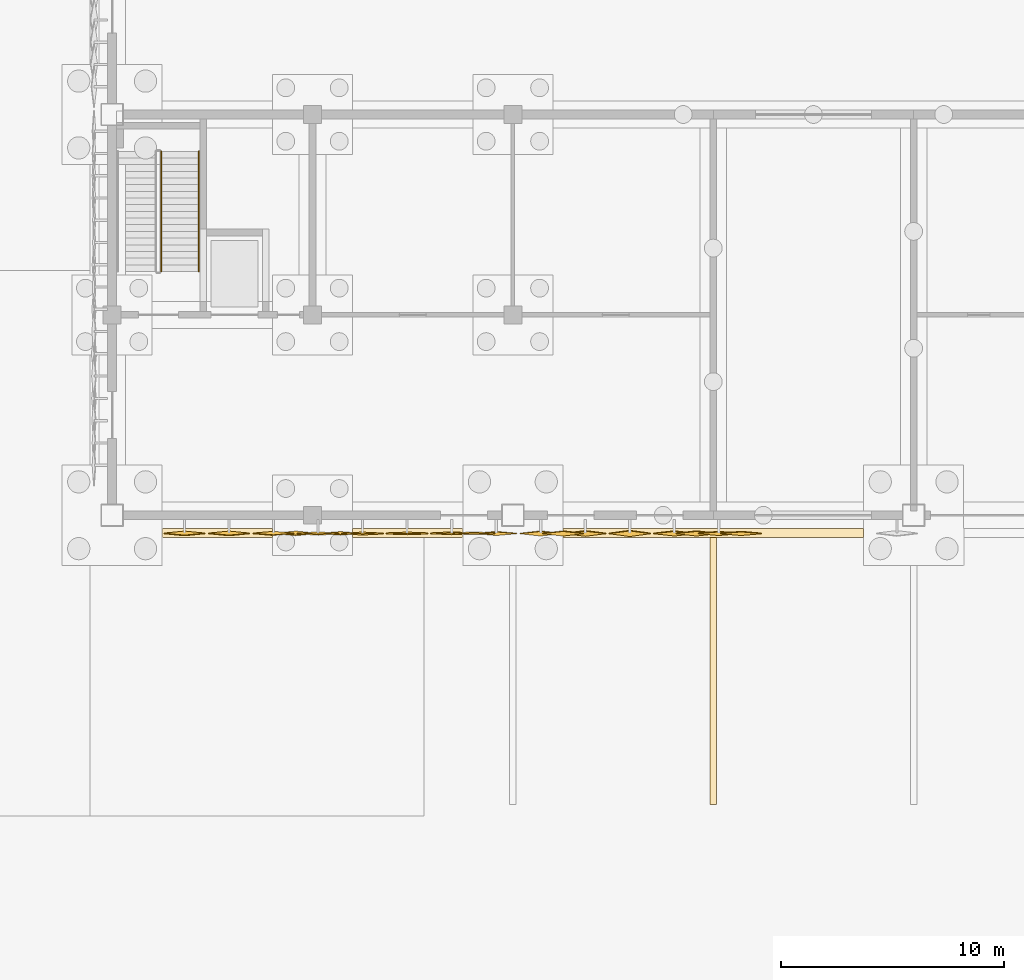
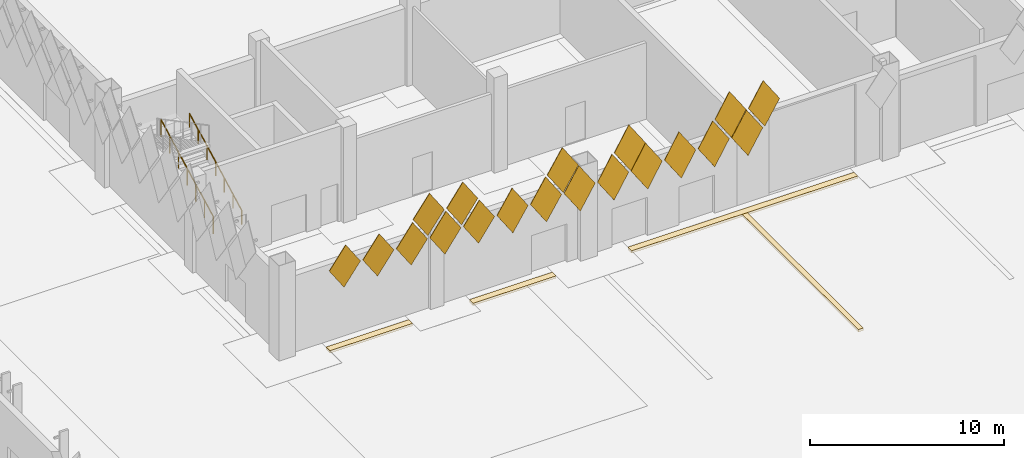
# One storey, part 142 of 198: 23 coverings, 2 railings.
"""IFC4 building model written with IfcOpenShell, lengths in metres."""

from ifc_helpers import new_model, si_unit, direction, frame, origin, origin_2d, place, context, subcontext, project, spatial, polyline, circle, outline, extrude, material, layer, layer_set, constituent, constituent_set, material_profile, profile_set, type_object, element, save


model = new_model("IFC4")

# Units and contexts
model_context = context("Model", 3, precision=1e-05, world=origin(), true_north=direction((0.0, 1.0)))
body_context = subcontext(model_context, "Body", "Model", "MODEL_VIEW")
ifc_project = project(units=[si_unit("LENGTHUNIT", "METRE"), si_unit("AREAUNIT", "SQUARE_METRE"), si_unit("VOLUMEUNIT", "CUBIC_METRE"), si_unit("PLANEANGLEUNIT", "RADIAN"), si_unit("MASSUNIT", "GRAM", prefix="KILO")], contexts=[model_context])

# Site, building, storey
site_placement = place(None, origin())
site = spatial("IfcSite", under=ifc_project, at=site_placement, CompositionType="ELEMENT")
building_placement = place(site_placement, origin())
building = spatial("IfcBuilding", under=site, at=building_placement, Name="Opaline Strait Convention Centre", CompositionType="ELEMENT")
storey_placement = place(building_placement, origin())
storey = spatial("IfcBuildingStorey", under=building, at=storey_placement, Name="L00", CompositionType="ELEMENT", Elevation=0.0)

# Coverings
ifc_material_1 = material(Name="White ceramic-faced aluminium tile", Category="aluminium")
ifc_material_profile_1 = material_profile(ifc_material_1, outline(polyline([(0.927978515625, 0.0), (0.0, 1.39208984375), (-0.927978515625, 0.0), (0.0, -1.39208984375), (0.927978515625, 0.0)])), Name="Diamond tile 1856x2784")
ifc_profile_set_1 = profile_set([ifc_material_profile_1], Name="White ceramic-faced aluminium tile")
covering_type_1 = type_object("IfcCoveringType", Name="Diamond wall tile 1856x2784x30 pivot 1.5 deg", PredefinedType="CLADDING", material=ifc_profile_set_1)
for number, where, z_axis, x_axis, name in (
    (1, (110.25, 53.199951171875, 4.89208984375), (0.0, -0.999471633277, -0.032503142546), (1.0, 0.0, 0.0), "Wall tile XT03 S"),
    (2, (112.25, 53.199951171875, 4.89208984375), (0.0, -0.999702690643, 0.024382992455), (1.0, 0.0, 0.0), "Wall tile XT03 S"),
):
    element("IfcCovering", number, at=place(storey_placement, frame(where, z_axis=z_axis, x_axis=x_axis)), inside=storey, type_object=covering_type_1, Name=name, PredefinedType="CLADDING", context=body_context, shape_type="SweptSolid", body=[
        extrude(outline(polyline([(0.927978515625, 0.0), (0.0, 1.39208984375), (-0.927978515625, 0.0), (0.0, -1.39208984375), (0.927978515625, 0.0)])), origin(), (0.0, 0.0, 1.0), 0.030029296875),
    ])
ifc_material_profile_2 = material_profile(ifc_material_1, outline(polyline([(0.927978515625, 0.0), (0.0, 1.39208984375), (-0.927978515625, 0.0), (0.0, -1.39208984375), (0.927978515625, 0.0)])), Name="Diamond tile 1856x2784")
ifc_profile_set_2 = profile_set([ifc_material_profile_2], Name="White ceramic-faced aluminium tile")
covering_type_2 = type_object("IfcCoveringType", Name="Diamond wall tile 1856x2784x30 pivot 2 deg", PredefinedType="CLADDING", material=ifc_profile_set_2)
for number, where, z_axis, x_axis, name in (
    (3, (108.25, 53.199951171875, 4.89208984375), (0.0, -0.999174794796, -0.040616861577), (1.0, 0.0, 0.0), "Wall tile XT04 S"),
    (4, (114.25, 53.199951171875, 4.89208984375), (0.0, -0.999471633277, 0.032503142546), (1.0, 0.0, 0.0), "Wall tile XT04 S"),
    (5, (115.25, 53.199951171875, 6.39208984375), (0.0, -0.999471633277, 0.032503142546), (1.0, 0.0, 0.0), "Wall tile XT04 S"),
):
    element("IfcCovering", number, at=place(storey_placement, frame(where, z_axis=z_axis, x_axis=x_axis)), inside=storey, type_object=covering_type_2, Name=name, PredefinedType="CLADDING", context=body_context, shape_type="SweptSolid", body=[
        extrude(outline(polyline([(0.927978515625, 0.0), (0.0, 1.39208984375), (-0.927978515625, 0.0), (0.0, -1.39208984375), (0.927978515625, 0.0)])), origin(), (0.0, 0.0, 1.0), 0.030029296875),
    ])
ifc_material_profile_3 = material_profile(ifc_material_1, outline(polyline([(0.927978515625, 0.0), (0.0, 1.39208984375), (-0.927978515625, 0.0), (0.0, -1.39208984375), (0.927978515625, 0.0)])), Name="Diamond tile 1856x2784")
ifc_profile_set_3 = profile_set([ifc_material_profile_3], Name="White ceramic-faced aluminium tile")
covering_type_3 = type_object("IfcCoveringType", Name="Diamond wall tile 1856x2784x30 pivot 2.5 deg", PredefinedType="CLADDING", material=ifc_profile_set_3)
covering_1_placement = place(storey_placement, frame((109.25, 53.199951171875, 6.39208984375), z_axis=(0.0, -0.998812351125, -0.048722553713), x_axis=(1.0, 0.0, 0.0)))
element("IfcCovering", 6, at=covering_1_placement, inside=storey, type_object=covering_type_3, Name="Wall tile XT05 S", PredefinedType="CLADDING", context=body_context, shape_type="SweptSolid", body=[
    extrude(outline(polyline([(0.927978515625, 0.0), (0.0, 1.39208984375), (-0.927978515625, 0.0), (0.0, -1.39208984375), (0.927978515625, 0.0)])), origin(), (0.0, 0.0, 1.0), 0.030029296875),
])
ifc_material_profile_4 = material_profile(ifc_material_1, outline(polyline([(0.927978515625, 0.0), (0.0, 1.39208984375), (-0.927978515625, 0.0), (0.0, -1.39208984375), (0.927978515625, 0.0)])), Name="Diamond tile 1856x2784")
ifc_profile_set_4 = profile_set([ifc_material_profile_4], Name="White ceramic-faced aluminium tile")
covering_type_4 = type_object("IfcCoveringType", Name="Diamond wall tile 1856x2784x30 pivot 3 deg", PredefinedType="CLADDING", material=ifc_profile_set_4)
covering_2_placement = place(storey_placement, frame((106.25, 53.199951171875, 4.89208984375), z_axis=(0.0, -0.998384516691, -0.056818631031), x_axis=(1.0, 0.0, 0.0)))
element("IfcCovering", 7, at=covering_2_placement, inside=storey, type_object=covering_type_4, Name="Wall tile XT06 S", PredefinedType="CLADDING", context=body_context, shape_type="SweptSolid", body=[
    extrude(outline(polyline([(0.927978515625, 0.0), (0.0, 1.39208984375), (-0.927978515625, 0.0), (0.0, -1.39208984375), (0.927978515625, 0.0)])), origin(), (0.0, 0.0, 1.0), 0.030029296875),
])
ifc_material_profile_5 = material_profile(ifc_material_1, outline(polyline([(0.927978515625, 0.0), (0.0, 1.39208984375), (-0.927978515625, 0.0), (0.0, -1.39208984375), (0.927978515625, 0.0)])), Name="Diamond tile 1856x2784")
ifc_profile_set_5 = profile_set([ifc_material_profile_5], Name="White ceramic-faced aluminium tile")
covering_type_5 = type_object("IfcCoveringType", Name="Diamond wall tile 1856x2784x30 pivot 3.5 deg", PredefinedType="CLADDING", material=ifc_profile_set_5)
for number, where, z_axis, x_axis, name in (
    (8, (102.25, 53.199951171875, 4.89208984375), (0.0, -0.99785694905, -0.065433242561), (1.0, 0.0, 0.0), "Wall tile XT07 S"),
    (9, (104.25, 53.199951171875, 4.89208984375), (0.0, -0.99785694905, -0.065433242561), (1.0, 0.0, 0.0), "Wall tile XT07 S"),
    (10, (116.25, 53.199951171875, 4.89208984375), (0.0, -0.99835799028, 0.057282835508), (1.0, 0.0, 0.0), "Wall tile XT07 S"),
    (11, (126.25, 53.199951171875, 4.89208984375), (0.0, -0.99835799028, 0.057282835508), (1.0, 0.0, 0.0), "Wall tile XT07 S"),
    (12, (107.25, 53.199951171875, 6.39208984375), (0.0, -0.99785694905, -0.065433242561), (1.0, 0.0, 0.0), "Wall tile XT07 S"),
    (13, (127.25, 53.199951171875, 6.39208984375), (0.0, -0.99835799028, 0.057282835508), (1.0, 0.0, 0.0), "Wall tile XT07 S"),
):
    element("IfcCovering", number, at=place(storey_placement, frame(where, z_axis=z_axis, x_axis=x_axis)), inside=storey, type_object=covering_type_5, Name=name, PredefinedType="CLADDING", context=body_context, shape_type="SweptSolid", body=[
        extrude(outline(polyline([(0.927978515625, 0.0), (0.0, 1.39208984375), (-0.927978515625, 0.0), (0.0, -1.39208984375), (0.927978515625, 0.0)])), origin(), (0.0, 0.0, 1.0), 0.02978515625),
    ])
ifc_material_profile_6 = material_profile(ifc_material_1, outline(polyline([(0.927978515625, 0.0), (0.0, 1.39208984375), (-0.927978515625, 0.0), (0.0, -1.39208984375), (0.927978515625, 0.0)])), Name="Diamond tile 1856x2784")
ifc_profile_set_6 = profile_set([ifc_material_profile_6], Name="White ceramic-faced aluminium tile")
covering_type_6 = type_object("IfcCoveringType", Name="Diamond wall tile 1856x2784x30 pivot 4.5 deg", PredefinedType="CLADDING", material=ifc_profile_set_6)
for number, where, z_axis, x_axis, name in (
    (14, (118.25, 53.199951171875, 4.89208984375), (0.0, -0.997290013252, 0.073570574748), (1.0, 0.0, 0.0), "Wall tile XT09 S"),
    (15, (124.25, 53.199951171875, 4.89208984375), (0.0, -0.997290013252, 0.073570574748), (1.0, 0.0, 0.0), "Wall tile XT09 S"),
    (16, (119.25, 53.199951171875, 6.39208984375), (0.0, -0.997290013252, 0.073570574748), (1.0, 0.0, 0.0), "Wall tile XT09 S"),
    (17, (125.25, 53.199951171875, 6.39208984375), (0.0, -0.997290013252, 0.073570574748), (1.0, 0.0, 0.0), "Wall tile XT09 S"),
):
    element("IfcCovering", number, at=place(storey_placement, frame(where, z_axis=z_axis, x_axis=x_axis)), inside=storey, type_object=covering_type_6, Name=name, PredefinedType="CLADDING", context=body_context, shape_type="SweptSolid", body=[
        extrude(outline(polyline([(0.927978515625, 0.0), (0.0, 1.39208984375), (-0.927978515625, 0.0), (0.0, -1.39208984375), (0.927978515625, 0.0)])), origin(), (0.0, 0.0, 1.0), 0.02978515625),
    ])
ifc_material_profile_7 = material_profile(ifc_material_1, outline(polyline([(0.927978515625, 0.0), (0.0, 1.39208984375), (-0.927978515625, 0.0), (0.0, -1.39208984375), (0.927978515625, 0.0)])), Name="Diamond tile 1856x2784")
ifc_profile_set_7 = profile_set([ifc_material_profile_7], Name="White ceramic-faced aluminium tile")
covering_type_7 = type_object("IfcCoveringType", Name="Diamond wall tile 1856x2784x30 pivot 5 deg", PredefinedType="CLADDING", material=ifc_profile_set_7)
covering_3_placement = place(storey_placement, frame((120.25, 53.199951171875, 4.89208984375), z_axis=(0.0, -0.996657521232, 0.081693239445), x_axis=(1.0, 0.0, 0.0)))
element("IfcCovering", 18, at=covering_3_placement, inside=storey, type_object=covering_type_7, Name="Wall tile XT10 S", PredefinedType="CLADDING", context=body_context, shape_type="SweptSolid", body=[
    extrude(outline(polyline([(0.927978515625, 0.0), (0.0, 1.39208984375), (-0.927978515625, 0.0), (0.0, -1.39208984375), (0.927978515625, 0.0)])), origin(), (0.0, 0.0, 1.0), 0.02978515625),
])
ifc_material_profile_8 = material_profile(ifc_material_1, outline(polyline([(0.927978515625, 0.0), (0.0, 1.39208984375), (-0.927978515625, 0.0), (0.0, -1.39208984375), (0.927978515625, 0.0)])), Name="Diamond tile 1856x2784")
ifc_profile_set_8 = profile_set([ifc_material_profile_8], Name="White ceramic-faced aluminium tile")
covering_type_8 = type_object("IfcCoveringType", Name="Diamond wall tile 1856x2784x30 pivot 5.5 deg", PredefinedType="CLADDING", material=ifc_profile_set_8)
covering_4_placement = place(storey_placement, frame((122.25, 53.199951171875, 4.89208984375), z_axis=(0.0, -0.995959849254, 0.089799658539), x_axis=(1.0, 0.0, 0.0)))
element("IfcCovering", 19, at=covering_4_placement, inside=storey, type_object=covering_type_8, Name="Wall tile XT11 S", PredefinedType="CLADDING", context=body_context, shape_type="SweptSolid", body=[
    extrude(outline(polyline([(0.927978515625, 0.0), (0.0, 1.39208984375), (-0.927978515625, 0.0), (0.0, -1.39208984375), (0.927978515625, 0.0)])), origin(), (0.0, 0.0, 1.0), 0.02978515625),
])
ifc_material_2 = material(Name="Concrete C30 exposed aggregate", Category="concrete")
ifc_layer_1 = layer(ifc_material_2, 0.14990234375)
ifc_layer_set_1 = layer_set([ifc_layer_1], Name="Concrete C30 exposed aggregate")
covering_type_9 = type_object("IfcCoveringType", Name="Site paving 150", PredefinedType="FLOORING", material=ifc_layer_set_1)
covering_5_placement = place(storey_placement, frame((0.0, 0.0, -0.14990234375)))
element("IfcCovering", 20, at=covering_5_placement, inside=storey, type_object=covering_type_9, Name="Site paving surfacing", PredefinedType="FLOORING", context=body_context, shape_type="SweptSolid", body=[
    extrude(outline(polyline([(101.2548828125, 53.39501953125), (101.2548828125, 53.0), (106.195068359375, 53.0), (106.195068359375, 53.39501953125), (101.2548828125, 53.39501953125)])), origin(), (0.0, 0.0, 1.0), 0.14990234375),
])
covering_6_placement = place(storey_placement, frame((0.0, 0.0, -0.14990234375)))
element("IfcCovering", 21, at=covering_6_placement, inside=storey, type_object=covering_type_9, Name="Site paving surfacing", PredefinedType="FLOORING", context=body_context, shape_type="SweptSolid", body=[
    extrude(outline(polyline([(109.804931640625, 53.0), (113.0, 53.0), (114.7451171875, 53.0), (114.7451171875, 53.39501953125), (109.804931640625, 53.39501953125), (109.804931640625, 53.0)])), origin(), (0.0, 0.0, 1.0), 0.14990234375),
])
covering_7_placement = place(storey_placement, frame((0.0, 0.0, -0.14990234375)))
element("IfcCovering", 22, at=covering_7_placement, inside=storey, type_object=covering_type_9, Name="Site paving surfacing", PredefinedType="FLOORING", context=body_context, shape_type="SweptSolid", body=[
    extrude(outline(polyline([(119.2548828125, 53.39501953125), (119.2548828125, 53.0), (132.7451171875, 53.0), (132.7451171875, 53.39501953125), (119.2548828125, 53.39501953125)])), origin(), (0.0, 0.0, 1.0), 0.14990234375),
])

# Railings
ifc_material_3 = material(Name="Steel Q235B", Category="steel")
ifc_constituent_1 = constituent(ifc_material_3, Name="Frame")
ifc_material_4 = material(Name="Safety glass, bonded interlayer", Category="glass")
ifc_constituent_2 = constituent(ifc_material_4, Name="Infill")
ifc_constituent_set = constituent_set(constituents=[ifc_constituent_1, ifc_constituent_2], Name="Steel Q235B, Safety glass, bonded interlayer")
railing_type_1 = type_object("IfcRailingType", Name="Stair guard 1100 steel and glass", PredefinedType="GUARDRAIL", material=ifc_constituent_set)
railing_1_placement = place(storey_placement, frame((101.199951171875, 64.949951171875, 0.157958984375)))
element("IfcRailing", 23, at=railing_1_placement, inside=storey, type_object=railing_type_1, Name="L00 XST1 stair guard 1", PredefinedType="GUARDRAIL", context=body_context, shape_type="SweptSolid", body=[
    extrude(circle(Radius=0.02392578125, at=origin_2d()), frame((0.0, 0.0, 1.076171875), z_axis=(0.0, 0.884927768474, 0.465728294806), x_axis=(-1.0, 0.0, 0.0)), (0.0, 0.0, 1.0), 6.102294921875),
    extrude(circle(Radius=0.02099609375, at=origin_2d()), origin(), (0.0, 0.0, 1.0), 1.052001953125),
    extrude(circle(Radius=0.02099609375, at=origin_2d()), frame((0.0, 0.89990234375, 0.4736328125)), (0.0, 0.0, 1.0), 1.052001953125),
    extrude(circle(Radius=0.02099609375, at=origin_2d()), frame((0.0, 1.800048828125, 0.947265625)), (0.0, 0.0, 1.0), 1.052001953125),
    extrude(circle(Radius=0.02099609375, at=origin_2d()), frame((0.0, 2.7001953125, 1.4208984375)), (0.0, 0.0, 1.0), 1.052001953125),
    extrude(circle(Radius=0.02099609375, at=origin_2d()), frame((0.0, 3.60009765625, 1.894775390625)), (0.0, 0.0, 1.0), 1.052001953125),
    extrude(circle(Radius=0.02099609375, at=origin_2d()), frame((0.0, 4.5, 2.368408203125)), (0.0, 0.0, 1.0), 1.052001953125),
    extrude(circle(Radius=0.02099609375, at=origin_2d()), frame((0.0, 5.400146484375, 2.842041015625)), (0.0, 0.0, 1.0), 1.052001953125),
])
ifc_material_5 = material(Name="Stainless steel 304", Category="steel")
railing_type_2 = type_object("IfcRailingType", Name="Stair handrail 900", PredefinedType="HANDRAIL", material=ifc_material_5)
railing_2_placement = place(storey_placement, frame((102.89990234375, 64.949951171875, 0.157958984375)))
element("IfcRailing", 24, at=railing_2_placement, inside=storey, type_object=railing_type_2, Name="L00 XST1 stair handrail 1", PredefinedType="HANDRAIL", context=body_context, shape_type="SweptSolid", body=[
    extrude(circle(Radius=0.02392578125, at=origin_2d()), frame((0.0, 0.0, 0.8759765625), z_axis=(0.0, 0.884927768474, 0.465728294806), x_axis=(-1.0, 0.0, 0.0)), (0.0, 0.0, 1.0), 6.102294921875),
    extrude(circle(Radius=0.02099609375, at=origin_2d()), origin(), (0.0, 0.0, 1.0), 0.851806640625),
    extrude(circle(Radius=0.02099609375, at=origin_2d()), frame((0.0, 0.89990234375, 0.4736328125)), (0.0, 0.0, 1.0), 0.851806640625),
    extrude(circle(Radius=0.02099609375, at=origin_2d()), frame((0.0, 1.800048828125, 0.947265625)), (0.0, 0.0, 1.0), 0.851806640625),
    extrude(circle(Radius=0.02099609375, at=origin_2d()), frame((0.0, 2.7001953125, 1.4208984375)), (0.0, 0.0, 1.0), 0.851806640625),
    extrude(circle(Radius=0.02099609375, at=origin_2d()), frame((0.0, 3.60009765625, 1.894775390625)), (0.0, 0.0, 1.0), 0.851806640625),
    extrude(circle(Radius=0.02099609375, at=origin_2d()), frame((0.0, 4.5, 2.368408203125)), (0.0, 0.0, 1.0), 0.851806640625),
    extrude(circle(Radius=0.02099609375, at=origin_2d()), frame((0.0, 5.400146484375, 2.842041015625)), (0.0, 0.0, 1.0), 0.851806640625),
])

# Covering
ifc_material_6 = material(Name="Road marking paint on concrete", Category="concrete")
ifc_layer_2 = layer(ifc_material_6, 0.14990234375)
ifc_layer_set_2 = layer_set([ifc_layer_2], Name="Road marking paint on concrete")
covering_type_10 = type_object("IfcCoveringType", Name="Yard marking strip 150", PredefinedType="FLOORING", material=ifc_layer_set_2)
covering_8_placement = place(storey_placement, frame((0.0, 0.0, -0.14990234375)))
element("IfcCovering", 25, at=covering_8_placement, inside=storey, type_object=covering_type_10, Name="Truck bay line 4 surfacing", PredefinedType="FLOORING", context=body_context, shape_type="SweptSolid", body=[
    extrude(outline(polyline([(125.85009765625, 53.0), (125.85009765625, 41.0), (126.14990234375, 41.0), (126.14990234375, 53.0), (125.85009765625, 53.0)])), origin(), (0.0, 0.0, 1.0), 0.14990234375),
])

save(model, "model.ifc")
